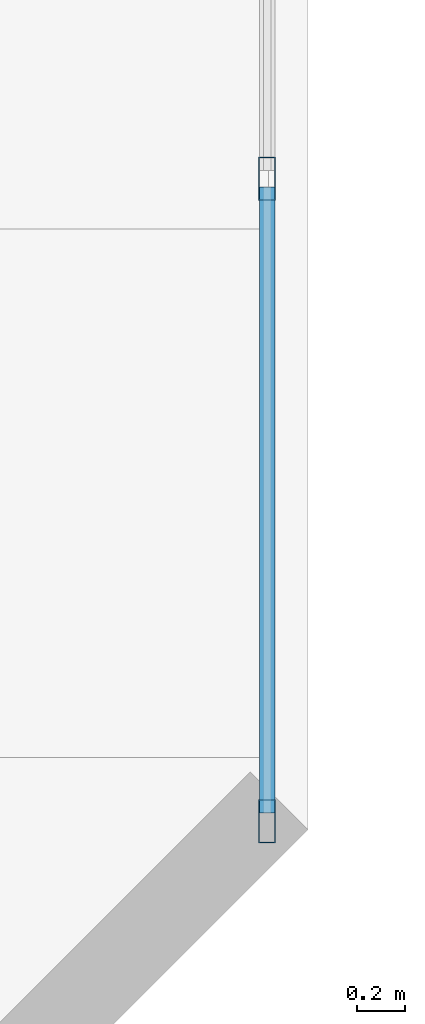
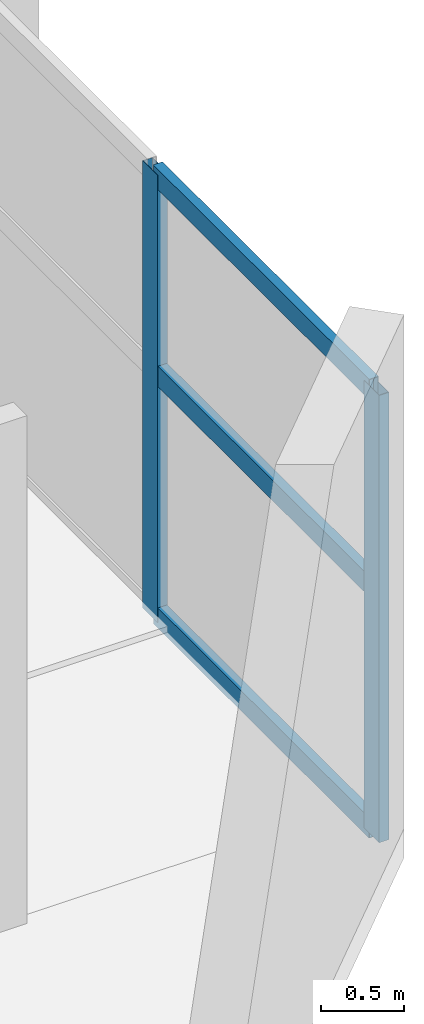
# One storey, part 2 of 13: 5 members, 1 element without a shape of its own.
"""IFC4 building model written with IfcOpenShell, lengths in metres."""

import ifcopenshell
import ifcopenshell.guid

model = None  # the IFC model being written
_history = None  # IfcOwnerHistory: only IFC2X3 demands one
_inside = {}  # id of a spatial element -> (the spatial element, [elements in it])
_under = {}  # id of a project, library or spatial element -> (it, [spatial elements below it])
_declared = {}  # id of a project -> (the project, [libraries it declares])
_typed = {}  # id of a type object -> (the type object, [elements of that type])
_made_of = {}  # id of a material, layer set ... -> (it, [elements and type objects made of it])


def new_model(schema):
    """Start an empty IFC model of exactly this schema.

    Asked for "IFC4X3", IfcOpenShell would pick the latest addendum, in which some entities
    have other attributes; the version numbers below select the first issue.
    IFC2X3 requires an IfcOwnerHistory on every rooted entity: one is made here for all.
    """
    global model, _history
    if schema == "IFC4X3":
        model = ifcopenshell.file(schema_version=(4, 3, 0, 0))
    else:
        model = ifcopenshell.file(schema=schema)
    _inside.clear()
    _under.clear()
    _declared.clear()
    _typed.clear()
    _made_of.clear()
    _history = None
    if model.schema == "IFC2X3":
        org = make("IfcOrganization", Name="unknown")
        user = make(
            "IfcPersonAndOrganization",
            ThePerson=make("IfcPerson", FamilyName="unknown"),
            TheOrganization=org,
        )
        app = make(
            "IfcApplication",
            ApplicationDeveloper=org,
            Version="unknown",
            ApplicationFullName="unknown",
            ApplicationIdentifier="unknown",
        )
        _history = make(
            "IfcOwnerHistory",
            OwningUser=user,
            OwningApplication=app,
            ChangeAction="ADDED",
            CreationDate=0,
        )
    return model


def make(cls, **values):
    """One entity of the class cls with the attributes given. An attribute that is None is left unset."""
    return model.create_entity(
        cls, **{name: value for name, value in values.items() if value is not None}
    )


def rooted(cls, **values):
    """An entity with a GlobalId (a new one), such as an element, a storey or a relation."""
    return make(cls, GlobalId=ifcopenshell.guid.new(), OwnerHistory=_history, **values)


def si_unit(unit_type, name, prefix=None):
    """IfcSIUnit, for example si_unit("LENGTHUNIT", "METRE", prefix="MILLI")."""
    return make("IfcSIUnit", UnitType=unit_type, Prefix=prefix, Name=name)


def assignment(units):
    """IfcUnitAssignment: the units of a project."""
    return None if units is None else make("IfcUnitAssignment", Units=units)


def point(xyz):
    """IfcCartesianPoint."""
    return None if xyz is None else make("IfcCartesianPoint", Coordinates=xyz)


def direction(xyz):
    """IfcDirection."""
    return None if xyz is None else make("IfcDirection", DirectionRatios=xyz)


def frame(location, z_axis=None, x_axis=None):
    """IfcAxis2Placement3D, a coordinate frame: its origin and axes. An axis left out is left unset."""
    return make(
        "IfcAxis2Placement3D",
        Location=point(location),
        Axis=direction(z_axis),
        RefDirection=direction(x_axis),
    )


def frame_2d(location, x_axis=None):
    """IfcAxis2Placement2D, a coordinate frame in the plane: its origin and x axis."""
    return make(
        "IfcAxis2Placement2D", Location=point(location), RefDirection=direction(x_axis)
    )


def origin():
    """The frame at (0, 0, 0) with its axes left unset."""
    return frame((0.0, 0.0, 0.0))


def origin_2d():
    """The frame at (0, 0) in the plane with its x axis left unset."""
    return frame_2d((0.0, 0.0))


def place(relative_to, where):
    """IfcLocalPlacement: puts the frame where relative to a parent placement (None: the world)."""
    return make(
        "IfcLocalPlacement", PlacementRelTo=relative_to, RelativePlacement=where
    )


def context(
    kind, dimensions, precision=None, world=None, true_north=None, identifier=None
):
    """IfcGeometricRepresentationContext, for example the 3D "Model" context."""
    return make(
        "IfcGeometricRepresentationContext",
        ContextIdentifier=identifier,
        ContextType=kind,
        CoordinateSpaceDimension=dimensions,
        Precision=precision,
        WorldCoordinateSystem=world,
        TrueNorth=true_north,
    )


def subcontext(parent, identifier, kind, view, scale=None):
    """IfcGeometricRepresentationSubContext, for example "Body" below "Model"."""
    return make(
        "IfcGeometricRepresentationSubContext",
        ContextIdentifier=identifier,
        ContextType=kind,
        ParentContext=parent,
        TargetScale=scale,
        TargetView=view,
    )


def project(units=None, contexts=None):
    """IfcProject with its units and contexts."""
    return rooted(
        "IfcProject",
        Name="project",
        RepresentationContexts=contexts,
        UnitsInContext=assignment(units),
    )


def spatial(cls, under=None, at=None, **own):
    """A site, building, storey or space (cls), placed at a placement, below another one or the project."""
    s = rooted(cls, ObjectPlacement=at, **own)
    if under is not None:
        _under.setdefault(under.id(), (under, []))[1].append(s)
    return s


def profile(cls, at=None, kind="AREA", **sizes):
    """A parametric profile (cls). Its sizes go by their IFC names, for example OverallWidth=200.0."""
    return make(cls, ProfileType=kind, Position=at, **sizes)


def hollow_rectangle(**sizes):
    """IfcRectangleHollowProfileDef."""
    return profile("IfcRectangleHollowProfileDef", **sizes)


def extrude(swept, where, along, depth):
    """IfcExtrudedAreaSolid: the profile swept, set in the frame where, extruded along a direction by depth."""
    return make(
        "IfcExtrudedAreaSolid",
        SweptArea=swept,
        Position=where,
        ExtrudedDirection=direction(along),
        Depth=depth,
    )


def shape(context_of_items, identifier, shape_type, items):
    """IfcShapeRepresentation: the items that make up one representation, for example the "Body"."""
    return make(
        "IfcShapeRepresentation",
        ContextOfItems=context_of_items,
        RepresentationIdentifier=identifier,
        RepresentationType=shape_type,
        Items=items,
    )


def material(Name=None, Category=None):
    """IfcMaterial."""
    return make("IfcMaterial", Name=Name, Category=Category)


def layer(
    of_material, thickness, ventilated=None, Name=None, Category=None, Priority=None
):
    """IfcMaterialLayer: one layer of a wall or slab, of a material (None: an air gap)."""
    return make(
        "IfcMaterialLayer",
        Material=of_material,
        LayerThickness=thickness,
        IsVentilated=ventilated,
        Name=Name,
        Category=Category,
        Priority=Priority,
    )


def layer_set(layers, Name=None):
    """IfcMaterialLayerSet."""
    return make("IfcMaterialLayerSet", MaterialLayers=layers, LayerSetName=Name)


def material_profile(
    of_material, cross_section, Name=None, Category=None, Priority=None
):
    """IfcMaterialProfile: a cross section and its material."""
    return make(
        "IfcMaterialProfile",
        Name=Name,
        Material=of_material,
        Profile=cross_section,
        Priority=Priority,
        Category=Category,
    )


def profile_set(profiles, Name=None, composite=None):
    """IfcMaterialProfileSet."""
    return make(
        "IfcMaterialProfileSet",
        Name=Name,
        MaterialProfiles=profiles,
        CompositeProfile=composite,
    )


def made_of(thing, what):
    """Note that an element or type object is made of a material, layer set ...; save() writes the relation."""
    if what is not None:
        _made_of.setdefault(what.id(), (what, []))[1].append(thing)
    return thing


def type_object(cls, material=None, **own):
    """A type object (cls), such as IfcWallType, which elements share."""
    return made_of(rooted(cls, **own), material)


def element(
    cls,
    number,
    at=None,
    inside=None,
    cuts=None,
    type_object=None,
    material=None,
    context=None,
    identifier="Body",
    shape_type=None,
    held_by="IfcProductDefinitionShape",
    body=None,
    shapes=None,
    **own,
):
    """One element of the class cls, such as IfcWall. Its Tag is "e" and its number.

    at: its placement. inside: the storey or other place that contains it. cuts: it is an
    opening in that element (IfcRelVoidsElement). A single representation is given by context,
    identifier, shape_type and body (its items); several are given by shapes. held_by: the class
    of the entity that holds the representations. save() writes the other relations.
    """
    e = rooted(cls, Tag="e%d" % number, ObjectPlacement=at, **own)
    if body is not None:
        shapes = [shape(context, identifier, shape_type, body)]
    if shapes is not None:
        e.Representation = make(held_by, Representations=shapes)
    if inside is not None:
        _inside.setdefault(inside.id(), (inside, []))[1].append(e)
    if cuts is not None:
        rooted(
            "IfcRelVoidsElement", RelatingBuildingElement=cuts, RelatedOpeningElement=e
        )
    if type_object is not None:
        _typed.setdefault(type_object.id(), (type_object, []))[1].append(e)
    return made_of(e, material)


def aggregate(whole, parts):
    """IfcRelAggregates: a whole, such as a stair, and the parts it consists of."""
    return rooted("IfcRelAggregates", RelatingObject=whole, RelatedObjects=parts)


def save(model, path):
    """Write the relations noted so far, then the file.

    IfcRelAggregates (storeys below a building ...), IfcRelContainedInSpatialStructure (elements
    in a storey), IfcRelDefinesByType, IfcRelAssociatesMaterial and IfcRelDeclares: one each for
    every whole, place, type object, material and project.
    """
    for whole, parts in _under.values():
        aggregate(whole, parts)
    for where, things in _inside.values():
        rooted(
            "IfcRelContainedInSpatialStructure",
            RelatedElements=things,
            RelatingStructure=where,
        )
    for kind, things in _typed.values():
        rooted("IfcRelDefinesByType", RelatedObjects=things, RelatingType=kind)
    for what, things in _made_of.values():
        rooted("IfcRelAssociatesMaterial", RelatedObjects=things, RelatingMaterial=what)
    for by, libraries in _declared.values():
        rooted("IfcRelDeclares", RelatingContext=by, RelatedDefinitions=libraries)
    model.write(path)


model = new_model("IFC4")

# Units and contexts
model_context = context("Model", 3, precision=1e-05, world=origin(), true_north=direction((0.0, 1.0)))
body_context = subcontext(model_context, "Body", "Model", "MODEL_VIEW")
ifc_project = project(units=[si_unit("LENGTHUNIT", "METRE"), si_unit("AREAUNIT", "SQUARE_METRE"), si_unit("VOLUMEUNIT", "CUBIC_METRE"), si_unit("PLANEANGLEUNIT", "RADIAN"), si_unit("MASSUNIT", "GRAM", prefix="KILO")], contexts=[model_context])

# Site, building, storey
site_placement = place(None, origin())
site = spatial("IfcSite", under=ifc_project, at=site_placement, CompositionType="ELEMENT")
building_placement = place(site_placement, origin())
building = spatial("IfcBuilding", under=site, at=building_placement, Name="Qianrong Seaharbour Tower", CompositionType="ELEMENT")
storey_placement = place(building_placement, frame((0.0, 0.0, 295.199951171875)))
storey = spatial("IfcBuildingStorey", under=building, at=storey_placement, Name="L71", CompositionType="ELEMENT", Elevation=295.199951171875)

# Curtain wall, members
ifc_material_1 = material(Name="Anodised aluminium 6063-T6 and laminated low-e glass", Category="aluminium")
ifc_layer = layer(ifc_material_1, 0.195068359375)
ifc_layer_set = layer_set([ifc_layer], Name="Anodised aluminium 6063-T6 and laminated low-e glass")
curtain_wall_type = type_object("IfcCurtainWallType", Name="CW-SYS-3", PredefinedType="NOTDEFINED", material=ifc_layer_set)
curtain_wall_placement = place(storey_placement, origin())
curtain_wall = element("IfcCurtainWall", 1, at=curtain_wall_placement, inside=storey, type_object=curtain_wall_type, Name="L71 Sky-Garden Wintergarden Curtain Wall EAST_WING", PredefinedType="NOTDEFINED")
ifc_material_2 = material(Name="Extruded aluminium 6063-T6", Category="aluminium")
ifc_material_profile_1 = material_profile(ifc_material_2, hollow_rectangle(XDim=0.070068359375, YDim=0.179931640625, WallThickness=0.00390625, at=origin_2d()), Name="ALU-MUL-180x70x4")
ifc_profile_set_1 = profile_set([ifc_material_profile_1], Name="Extruded aluminium 6063-T6")
member_type_1 = type_object("IfcMemberType", Name="CW-MUL-180", PredefinedType="MULLION", material=ifc_profile_set_1)
member_1_placement = place(storey_placement, frame((63.830078125, 25.2099609375, 0.0), z_axis=(0.0, 0.0, 1.0), x_axis=(1.0, 0.0, 0.0)))
member_1 = element("IfcMember", 2, at=member_1_placement, type_object=member_type_1, Name="CW-3 mullion 5", PredefinedType="MULLION", context=body_context, shape_type="SweptSolid", body=[
    extrude(hollow_rectangle(XDim=0.070068359375, YDim=0.179931640625, WallThickness=0.00390625, at=origin_2d()), origin(), (0.0, 0.0, 1.0), 3.295166015625),
])
member_2_placement = place(storey_placement, frame((63.830078125, 22.534912109375, 0.0), z_axis=(0.0, 0.0, 1.0), x_axis=(1.0, 0.0, 0.0)))
member_2 = element("IfcMember", 3, at=member_2_placement, type_object=member_type_1, Name="CW-3 mullion 6", PredefinedType="MULLION", context=body_context, shape_type="SweptSolid", body=[
    extrude(hollow_rectangle(XDim=0.070068359375, YDim=0.179931640625, WallThickness=0.00390625, at=origin_2d()), origin(), (0.0, 0.0, 1.0), 3.295166015625),
])
ifc_material_profile_2 = material_profile(ifc_material_2, hollow_rectangle(XDim=0.06494140625, YDim=0.14990234375, WallThickness=0.00390625, at=origin_2d()), Name="ALU-TRN-150x65x4")
ifc_profile_set_2 = profile_set([ifc_material_profile_2], Name="Extruded aluminium 6063-T6")
member_type_2 = type_object("IfcMemberType", Name="CW-TRN-150", PredefinedType="USERDEFINED", material=ifc_profile_set_2)
member_3_placement = place(storey_placement, frame((63.830078125, 25.175048828125, 0.032470703125), z_axis=(0.0, -1.0, 0.0), x_axis=(1.0, 0.0, 0.0)))
member_3 = element("IfcMember", 4, at=member_3_placement, type_object=member_type_2, Name="CW-3 transom 5.1", ObjectType="TRANSOM", PredefinedType="USERDEFINED", context=body_context, shape_type="SweptSolid", body=[
    extrude(hollow_rectangle(XDim=0.06494140625, YDim=0.14990234375, WallThickness=0.00390625, at=origin_2d()), origin(), (0.0, 0.0, 1.0), 2.60498046875),
])
member_4_placement = place(storey_placement, frame((63.830078125, 25.175048828125, 1.812255859375), z_axis=(0.0, -1.0, 0.0), x_axis=(1.0, 0.0, 0.0)))
member_4 = element("IfcMember", 5, at=member_4_placement, type_object=member_type_2, Name="CW-3 transom 5.2", ObjectType="TRANSOM", PredefinedType="USERDEFINED", context=body_context, shape_type="SweptSolid", body=[
    extrude(hollow_rectangle(XDim=0.06494140625, YDim=0.14990234375, WallThickness=0.00390625, at=origin_2d()), origin(), (0.0, 0.0, 1.0), 2.60498046875),
])
member_5_placement = place(storey_placement, frame((63.830078125, 25.175048828125, 3.262451171875), z_axis=(0.0, -1.0, 0.0), x_axis=(1.0, 0.0, 0.0)))
member_5 = element("IfcMember", 6, at=member_5_placement, type_object=member_type_2, Name="CW-3 transom 5.3", ObjectType="TRANSOM", PredefinedType="USERDEFINED", context=body_context, shape_type="SweptSolid", body=[
    extrude(hollow_rectangle(XDim=0.06494140625, YDim=0.14990234375, WallThickness=0.00390625, at=origin_2d()), origin(), (0.0, 0.0, 1.0), 2.60498046875),
])
aggregate(curtain_wall, [member_1, member_2, member_3, member_4, member_5])

save(model, "model.ifc")
